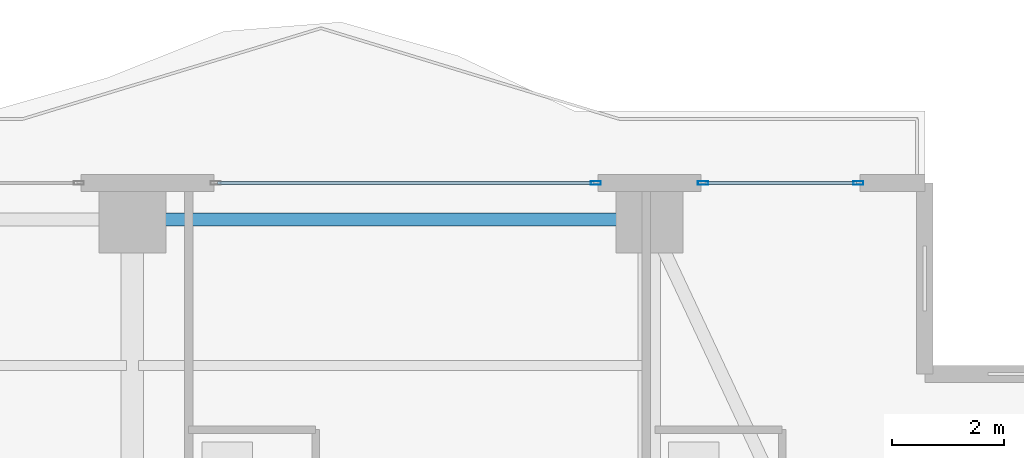
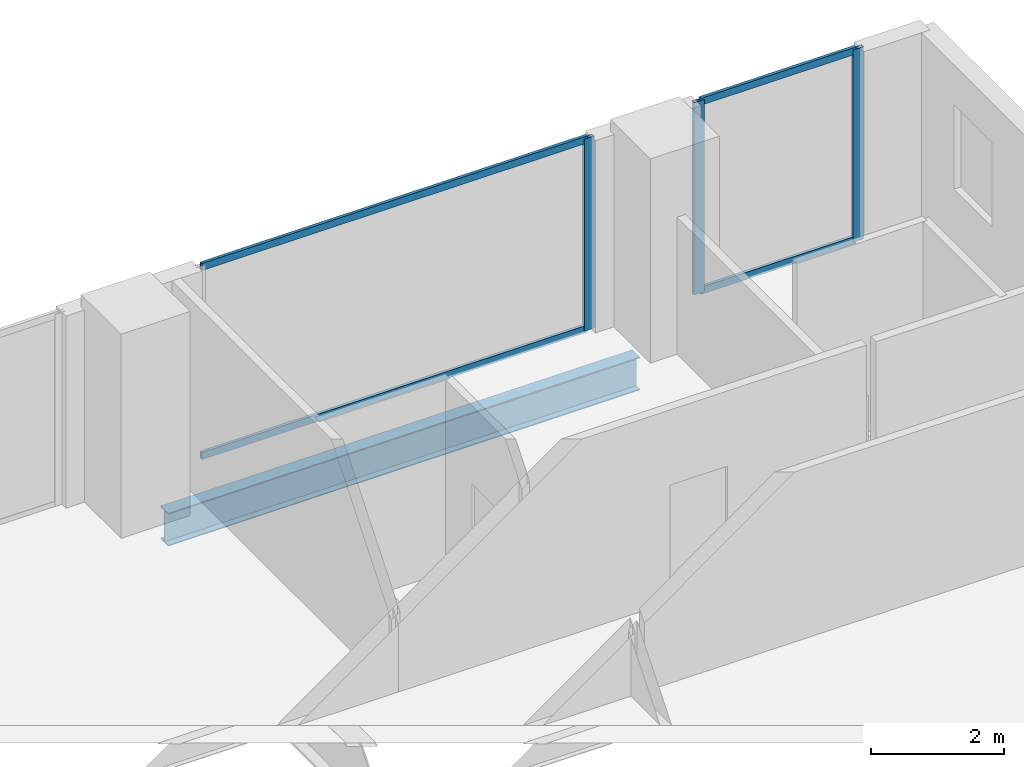
# One storey, part 22 of 32: 7 members, 1 beam, 2 elements without a shape of their own.
"""IFC4 building model written with IfcOpenShell, lengths in metres."""

from ifc_helpers import new_model, si_unit, direction, frame, origin, origin_2d, place, context, subcontext, project, spatial, hollow_rectangle, i_section, extrude, material, layer, layer_set, material_profile, profile_set, type_object, element, aggregate, save


model = new_model("IFC4")

# Units and contexts
model_context = context("Model", 3, precision=1e-05, world=origin(), true_north=direction((0.0, 1.0)))
body_context = subcontext(model_context, "Body", "Model", "MODEL_VIEW")
ifc_project = project(units=[si_unit("LENGTHUNIT", "METRE"), si_unit("AREAUNIT", "SQUARE_METRE"), si_unit("VOLUMEUNIT", "CUBIC_METRE"), si_unit("PLANEANGLEUNIT", "RADIAN"), si_unit("MASSUNIT", "GRAM", prefix="KILO")], contexts=[model_context])

# Site, building, storey
site_placement = place(None, origin())
site = spatial("IfcSite", under=ifc_project, at=site_placement, CompositionType="ELEMENT")
building_placement = place(site_placement, origin())
building = spatial("IfcBuilding", under=site, at=building_placement, Name="Zuhayl Quay Hotel", CompositionType="ELEMENT")
storey_placement = place(building_placement, frame((0.0, 0.0, 192.39990234375)))
storey = spatial("IfcBuildingStorey", under=building, at=storey_placement, Name="L48", CompositionType="ELEMENT", Elevation=192.39990234375)

# Beam
ifc_material_1 = material(Name="Steel ASTM A992 Grade 50", Category="steel")
ifc_material_profile_1 = material_profile(ifc_material_1, i_section(OverallWidth=0.22802734375, OverallDepth=0.60693359375, WebThickness=0.01123046875, FlangeThickness=0.017333984375, at=origin_2d()), Name="W24X76")
ifc_profile_set_1 = profile_set([ifc_material_profile_1], Name="Steel ASTM A992 Grade 50")
beam_type = type_object("IfcBeamType", Name="BM_B3_W24X76", PredefinedType="BEAM", material=ifc_profile_set_1)
beam_placement = place(storey_placement, frame((13.300048828125, 32.949951171875, -0.5234375), z_axis=(-1.0, 0.0, 0.0), x_axis=(0.0, -1.0, 0.0)))
element("IfcBeam", 1, at=beam_placement, inside=storey, type_object=beam_type, Name="L48 Floor Beam RG_L48_07", PredefinedType="BEAM", context=body_context, shape_type="SweptSolid", body=[
    extrude(i_section(OverallWidth=0.22802734375, OverallDepth=0.60693359375, WebThickness=0.01123046875, FlangeThickness=0.017333984375, at=origin_2d()), origin(), (0.0, 0.0, 1.0), 8.199951171875),
])

# Curtain wall, member
ifc_material_2 = material(Name="Anodised Aluminium 6063-T6", Category="aluminium")
ifc_layer = layer(ifc_material_2, 0.175048828125, Name="Anodised Aluminium 6063-T6", Category="aluminium")
ifc_layer_set = layer_set([ifc_layer], Name="Anodised Aluminium 6063-T6")
curtain_wall_type = type_object("IfcCurtainWallType", Name="CW_SYS_Z3", PredefinedType="USERDEFINED", material=ifc_layer_set)
curtain_wall_1_placement = place(storey_placement, origin())
curtain_wall_1 = element("IfcCurtainWall", 2, at=curtain_wall_1_placement, inside=storey, type_object=curtain_wall_type, Name="L48 Curtain Wall ENV_L48_N_CW5", ObjectType="UNITISED CURTAIN WALL", PredefinedType="USERDEFINED")
ifc_material_3 = material(Name="Black-anodised aluminium 6063-T6", Category="aluminium")
ifc_material_profile_2 = material_profile(ifc_material_3, hollow_rectangle(XDim=0.06494140625, YDim=0.179931640625, WallThickness=0.00341796875, at=origin_2d()), Name="ALU180X65")
ifc_profile_set_2 = profile_set([ifc_material_profile_2], Name="Black-anodised aluminium 6063-T6")
member_type_1 = type_object("IfcMemberType", Name="MB_CW_MUL_180", PredefinedType="MULLION", material=ifc_profile_set_2)
member_1_placement = place(storey_placement, frame((12.847412109375, 33.60009765625, 0.0), z_axis=(0.0, 0.0, 1.0), x_axis=(0.0, 1.0, 0.0)))
member_1 = element("IfcMember", 3, at=member_1_placement, type_object=member_type_1, Name="CW-Z3 mullion 2", PredefinedType="MULLION", context=body_context, shape_type="SweptSolid", body=[
    extrude(hollow_rectangle(XDim=0.06494140625, YDim=0.179931640625, WallThickness=0.00341796875, at=origin_2d()), origin(), (0.0, 0.0, 1.0), 3.530029296875),
])

# Curtain wall, members
curtain_wall_2_placement = place(storey_placement, origin())
curtain_wall_2 = element("IfcCurtainWall", 4, at=curtain_wall_2_placement, inside=storey, type_object=curtain_wall_type, Name="L48 Curtain Wall ENV_L48_N_CW6", ObjectType="UNITISED CURTAIN WALL", PredefinedType="USERDEFINED")
member_2_placement = place(storey_placement, frame((14.75244140625, 33.60009765625, 0.0), z_axis=(0.0, 0.0, 1.0), x_axis=(0.0, 1.0, 0.0)))
member_2 = element("IfcMember", 5, at=member_2_placement, type_object=member_type_1, Name="CW-Z3 mullion 1", PredefinedType="MULLION", context=body_context, shape_type="SweptSolid", body=[
    extrude(hollow_rectangle(XDim=0.06494140625, YDim=0.179931640625, WallThickness=0.00341796875, at=origin_2d()), origin(), (0.0, 0.0, 1.0), 3.530029296875),
])
member_3_placement = place(storey_placement, frame((17.517578125, 33.60009765625, 0.0), z_axis=(0.0, 0.0, 1.0), x_axis=(0.0, 1.0, 0.0)))
member_3 = element("IfcMember", 6, at=member_3_placement, type_object=member_type_1, Name="CW-Z3 mullion 2", PredefinedType="MULLION", context=body_context, shape_type="SweptSolid", body=[
    extrude(hollow_rectangle(XDim=0.06494140625, YDim=0.179931640625, WallThickness=0.00341796875, at=origin_2d()), origin(), (0.0, 0.0, 1.0), 3.530029296875),
])

# Member
ifc_material_profile_3 = material_profile(ifc_material_3, hollow_rectangle(XDim=0.054931640625, YDim=0.1298828125, WallThickness=0.0029296875, at=origin_2d()), Name="ALU130X55")
ifc_profile_set_3 = profile_set([ifc_material_profile_3], Name="Black-anodised aluminium 6063-T6")
member_type_2 = type_object("IfcMemberType", Name="MB_CW_TRN_130", PredefinedType="USERDEFINED", material=ifc_profile_set_3)
member_4_placement = place(storey_placement, frame((6.114990234375, 33.60009765625, 0.027587890625), z_axis=(1.0, 0.0, 0.0), x_axis=(0.0, 1.0, 0.0)))
member_4 = element("IfcMember", 7, at=member_4_placement, type_object=member_type_2, Name="CW-Z3 transom 1.1", ObjectType="TRANSOM", PredefinedType="USERDEFINED", context=body_context, shape_type="SweptSolid", body=[
    extrude(hollow_rectangle(XDim=0.054931640625, YDim=0.1298828125, WallThickness=0.0029296875, at=origin_2d()), origin(), (0.0, 0.0, 1.0), 6.699951171875),
])

member_5_placement = place(storey_placement, frame((6.114990234375, 33.60009765625, 3.502685546875), z_axis=(1.0, 0.0, 0.0), x_axis=(0.0, 1.0, 0.0)))
member_5 = element("IfcMember", 8, at=member_5_placement, type_object=member_type_2, Name="CW-Z3 transom 1.2", ObjectType="TRANSOM", PredefinedType="USERDEFINED", context=body_context, shape_type="SweptSolid", body=[
    extrude(hollow_rectangle(XDim=0.054931640625, YDim=0.1298828125, WallThickness=0.0029296875, at=origin_2d()), origin(), (0.0, 0.0, 1.0), 6.699951171875),
])

aggregate(curtain_wall_1, [member_1, member_4, member_5])

member_6_placement = place(storey_placement, frame((14.784912109375, 33.60009765625, 0.027587890625), z_axis=(1.0, 0.0, 0.0), x_axis=(0.0, 1.0, 0.0)))
member_6 = element("IfcMember", 9, at=member_6_placement, type_object=member_type_2, Name="CW-Z3 transom 1.1", ObjectType="TRANSOM", PredefinedType="USERDEFINED", context=body_context, shape_type="SweptSolid", body=[
    extrude(hollow_rectangle(XDim=0.054931640625, YDim=0.1298828125, WallThickness=0.0029296875, at=origin_2d()), origin(), (0.0, 0.0, 1.0), 2.7001953125),
])

member_7_placement = place(storey_placement, frame((14.784912109375, 33.60009765625, 3.502685546875), z_axis=(1.0, 0.0, 0.0), x_axis=(0.0, 1.0, 0.0)))
member_7 = element("IfcMember", 10, at=member_7_placement, type_object=member_type_2, Name="CW-Z3 transom 1.2", ObjectType="TRANSOM", PredefinedType="USERDEFINED", context=body_context, shape_type="SweptSolid", body=[
    extrude(hollow_rectangle(XDim=0.054931640625, YDim=0.1298828125, WallThickness=0.0029296875, at=origin_2d()), origin(), (0.0, 0.0, 1.0), 2.7001953125),
])

aggregate(curtain_wall_2, [member_2, member_3, member_6, member_7])

save(model, "model.ifc")
